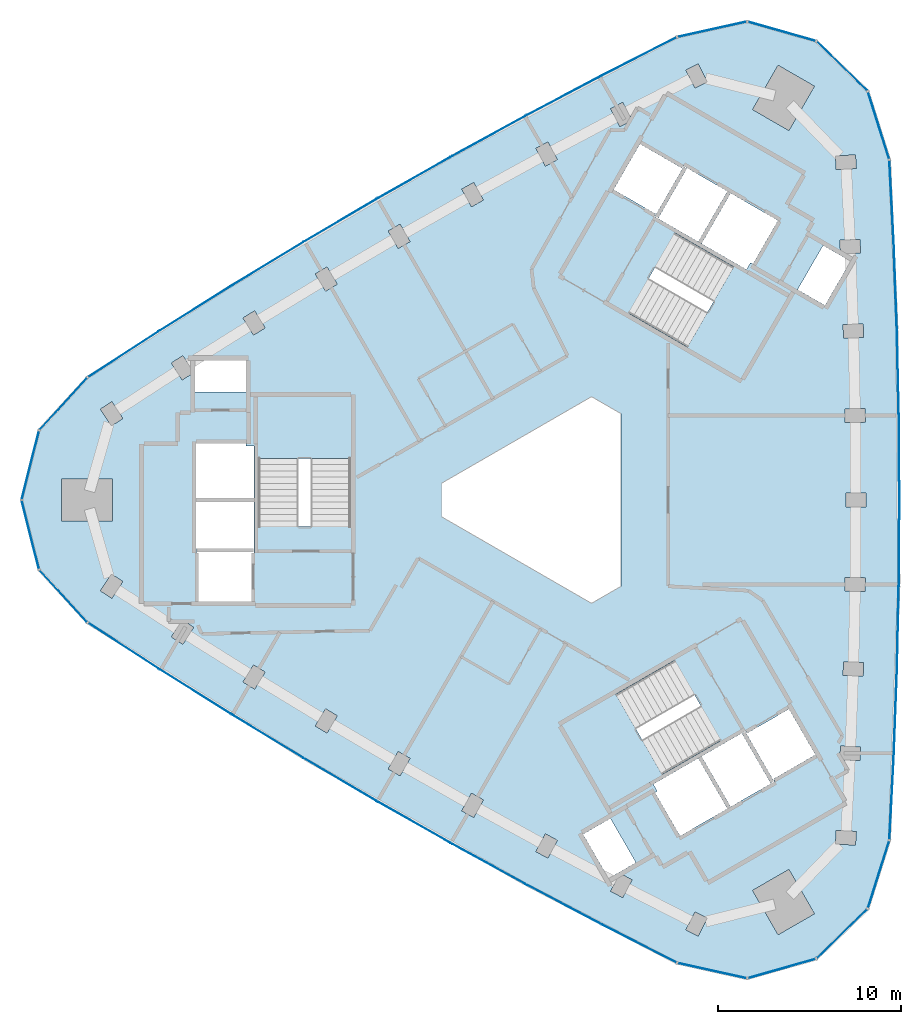
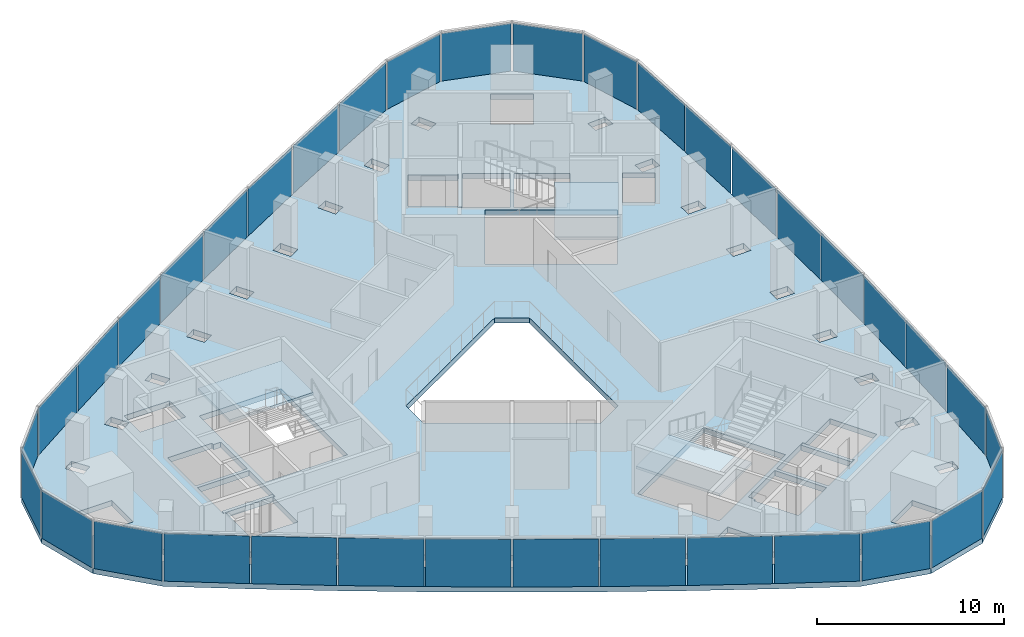
# One storey, part 6 of 11: 36 plates, 4 slabs, 6 elements without a shape of their own.
"""IFC4 building model written with IfcOpenShell, lengths in metres."""

from ifc_helpers import new_model, si_unit, direction, frame, origin, origin_2d, place, context, subcontext, project, spatial, polyline, rectangle, outline, extrude, material, layer, layer_set, type_object, element, aggregate, save


model = new_model("IFC4")

# Units and contexts
model_context = context("Model", 3, precision=1e-05, world=origin(), true_north=direction((0.0, 1.0)))
body_context = subcontext(model_context, "Body", "Model", "MODEL_VIEW")
ifc_project = project(units=[si_unit("LENGTHUNIT", "METRE"), si_unit("AREAUNIT", "SQUARE_METRE"), si_unit("VOLUMEUNIT", "CUBIC_METRE"), si_unit("PLANEANGLEUNIT", "RADIAN"), si_unit("MASSUNIT", "GRAM", prefix="KILO")], contexts=[model_context])

# Site, building, storey
site_placement = place(None, origin())
site = spatial("IfcSite", under=ifc_project, at=site_placement, CompositionType="ELEMENT")
building_placement = place(site_placement, origin())
building = spatial("IfcBuilding", under=site, at=building_placement, Name="Tamra Quay Hotel Tower", CompositionType="ELEMENT")
storey_placement = place(building_placement, frame((0.0, 0.0, 246.60009765625)))
storey = spatial("IfcBuildingStorey", under=building, at=storey_placement, Name="L62", CompositionType="ELEMENT", Elevation=246.60009765625)

# Stair, slab
ifc_material_1 = material(Name="Exit stair 2200 24 risers 150.0 going 342")
stair_type = type_object("IfcStairType", Name="Exit stair 2200 24 risers 150.0 going 342", PredefinedType="HALF_TURN_STAIR", material=ifc_material_1)
stair_1_placement = place(storey_placement, origin())
stair_1 = element("IfcStair", 1, at=stair_1_placement, inside=storey, type_object=stair_type, Name="L62 Exit stair ST3", PredefinedType="HALF_TURN_STAIR")
ifc_material_2 = material(Name="Concrete M70", Category="concrete")
ifc_layer_1 = layer(ifc_material_2, 0.175048828125)
ifc_layer_set_1 = layer_set([ifc_layer_1], Name="Concrete M70 stair landing 180")
slab_type_1 = type_object("IfcSlabType", Name="Concrete M70 stair landing 180", PredefinedType="LANDING", material=ifc_layer_set_1)
slab_1_placement = place(storey_placement, frame((0.0, 0.0, 1.625)))
slab_1 = element("IfcSlab", 2, at=slab_1_placement, type_object=slab_type_1, Name="ST3 landing 1", PredefinedType="LANDING", context=body_context, shape_type="SweptSolid", body=[
    extrude(outline(polyline([(-10.932373046875, 2.261962890625), (-10.932373046875, 5.679931640625), (-16.09130859375, 5.679931640625), (-16.09130859375, 2.261962890625), (-10.932373046875, 2.261962890625)])), origin(), (0.0, 0.0, 1.0), 0.1748046875),
])
aggregate(stair_1, [slab_1])

stair_2_placement = place(storey_placement, origin())
stair_2 = element("IfcStair", 3, at=stair_2_placement, inside=storey, type_object=stair_type, Name="L62 Exit stair ST1", PredefinedType="HALF_TURN_STAIR")
slab_2_placement = place(storey_placement, frame((0.0, 0.0, 1.625)))
slab_2 = element("IfcSlab", 4, at=slab_2_placement, type_object=slab_type_1, Name="ST1 landing 1", PredefinedType="LANDING", context=body_context, shape_type="SweptSolid", body=[
    extrude(outline(polyline([(7.425048828125, 8.336669921875), (10.385009765625, 6.627685546875), (12.964599609375, 11.095458984375), (10.00439453125, 12.804443359375), (7.425048828125, 8.336669921875)])), origin(), (0.0, 0.0, 1.0), 0.1748046875),
])
aggregate(stair_2, [slab_2])

stair_3_placement = place(storey_placement, origin())
stair_3 = element("IfcStair", 5, at=stair_3_placement, inside=storey, type_object=stair_type, Name="L62 Exit stair ST2", PredefinedType="HALF_TURN_STAIR")
slab_3_placement = place(storey_placement, frame((0.0, 0.0, 1.625)))
slab_3 = element("IfcSlab", 6, at=slab_3_placement, type_object=slab_type_1, Name="ST2 landing 1", PredefinedType="LANDING", context=body_context, shape_type="SweptSolid", body=[
    extrude(outline(polyline([(3.50732421875, -10.5986328125), (0.547119140625, -12.3076171875), (3.126708984375, -16.775390625), (6.086669921875, -15.06640625), (3.50732421875, -10.5986328125)])), origin(), (0.0, 0.0, 1.0), 0.1748046875),
])
aggregate(stair_3, [slab_3])

# Slab
ifc_material_3 = material(Name="Concrete M60", Category="concrete")
ifc_layer_2 = layer(ifc_material_3, 0.35009765625)
ifc_layer_set_2 = layer_set([ifc_layer_2], Name="FLOOR SLAB PT 350")
slab_type_2 = type_object("IfcSlabType", Name="FLOOR SLAB PT 350", PredefinedType="FLOOR", material=ifc_layer_set_2)
slab_4_placement = place(storey_placement, frame((0.0, 0.0, -0.35009765625)))
element("IfcSlab", 7, at=slab_4_placement, inside=storey, type_object=slab_type_2, Name="SLAB-L62", PredefinedType="FLOOR", context=body_context, shape_type="SweptSolid", body=[
    extrude(outline(polyline([(18.746826171875, 13.9765625), (18.918212890625, 9.31884765625), (19.020751953125, 4.66064453125), (19.05517578125, 0.0), (19.020751953125, -4.66064453125), (18.918212890625, -9.31884765625), (18.746826171875, -13.9765625), (18.50732421875, -18.63037109375), (17.323974609375, -22.38037109375), (14.503173828125, -25.1201171875), (10.719970703125, -26.193115234375), (6.880615234375, -25.343017578125), (2.730712890625, -23.223388671875), (-1.388671875, -21.04296875), (-5.47412109375, -18.802978515625), (-9.527587890625, -16.502197265625), (-13.546630859375, -14.14208984375), (-17.529296875, -11.72412109375), (-21.477294921875, -9.2470703125), (-25.387939453125, -6.712646484375), (-28.0439453125, -3.812744140625), (-29.006103515625, 0.0), (-28.0439453125, 3.812744140625), (-25.387939453125, 6.712646484375), (-21.477294921875, 9.2470703125), (-17.529296875, 11.72412109375), (-13.546630859375, 14.14208984375), (-9.527587890625, 16.502197265625), (-5.47412109375, 18.802978515625), (-1.388671875, 21.04296875), (2.730712890625, 23.223388671875), (6.880615234375, 25.343017578125), (10.719970703125, 26.193115234375), (14.503173828125, 25.1201171875), (17.323974609375, 22.38037109375), (18.50732421875, 18.63037109375), (18.746826171875, 13.9765625)]), holes=[polyline([(-8.9345703125, -14.724853515625), (-8.284912109375, -15.099853515625), (-7.73486328125, -14.147216796875), (-8.384521484375, -13.772216796875), (-8.9345703125, -14.724853515625)]), polyline([(-12.927001953125, -12.373779296875), (-12.283203125, -12.758544921875), (-11.718994140625, -11.814208984375), (-12.36279296875, -11.4296875), (-12.927001953125, -12.373779296875)]), polyline([(-16.885009765625, -9.964599609375), (-16.24658203125, -10.3583984375), (-15.669189453125, -9.422119140625), (-16.3076171875, -9.0283203125), (-16.885009765625, -9.964599609375)]), polyline([(-20.21533203125, -6.56982421875), (-20.806640625, -7.497314453125), (-20.17431640625, -7.900634765625), (-19.5830078125, -6.972900390625), (-20.21533203125, -6.56982421875)]), polyline([(-24.08740234375, -4.05419921875), (-24.69189453125, -4.972900390625), (-24.0654296875, -5.38525390625), (-23.460693359375, -4.46630859375), (-24.08740234375, -4.05419921875)]), polyline([(-19.4072265625, -2.85498046875), (-19.4072265625, -2.89306640625), (-19.307373046875, -2.89306640625), (-19.307373046875, -5.544921875), (-16.417236328125, -5.544921875), (-16.417236328125, -2.89306640625), (-16.3173828125, -2.89306640625), (-16.3173828125, -2.85498046875), (-19.4072265625, -2.85498046875)]), polyline([(-19.417236328125, -2.89306640625), (-19.417236328125, -2.64501953125), (-16.307373046875, -2.64501953125), (-16.307373046875, -2.89306640625), (-16.26708984375, -2.89306640625), (-16.26708984375, -0.10498046875), (-19.45751953125, -0.10498046875), (-19.45751953125, -2.89306640625), (-19.417236328125, -2.89306640625)]), polyline([(-24.0205078125, 1.14990234375), (-26.8203125, 1.14990234375), (-26.8203125, -1.14990234375), (-24.0205078125, -1.14990234375), (-24.0205078125, 1.14990234375)]), polyline([(-16.707275390625, 2.945068359375), (-16.707275390625, 3.09521484375), (-19.45751953125, 3.09521484375), (-19.45751953125, 0.10498046875), (-16.26708984375, 0.10498046875), (-16.26708984375, 2.945068359375), (-16.707275390625, 2.945068359375)]), polyline([(-16.036376953125, -1.455078125), (-10.9873046875, -1.455078125), (-10.9873046875, 5.625), (-16.036376953125, 5.625), (-16.036376953125, -1.455078125)]), polyline([(-23.460693359375, 4.46630859375), (-24.0654296875, 5.38525390625), (-24.69189453125, 4.972900390625), (-24.08740234375, 4.05419921875), (-23.460693359375, 4.46630859375)]), polyline([(-19.50732421875, 7.64501953125), (-19.50732421875, 5.9150390625), (-16.71728515625, 5.9150390625), (-16.71728515625, 7.64501953125), (-19.50732421875, 7.64501953125)]), polyline([(-19.5830078125, 6.972900390625), (-20.17431640625, 7.900634765625), (-20.806640625, 7.497314453125), (-20.21533203125, 6.56982421875), (-19.5830078125, 6.972900390625)]), polyline([(-15.669189453125, 9.422119140625), (-16.24658203125, 10.3583984375), (-16.885009765625, 9.964599609375), (-16.3076171875, 9.0283203125), (-15.669189453125, 9.422119140625)]), polyline([(-12.283203125, 12.758544921875), (-12.927001953125, 12.373779296875), (-12.36279296875, 11.4296875), (-11.718994140625, 11.814208984375), (-12.283203125, 12.758544921875)]), polyline([(-7.73486328125, 14.147216796875), (-8.284912109375, 15.099853515625), (-8.9345703125, 14.724853515625), (-8.384521484375, 13.772216796875), (-7.73486328125, 14.147216796875)]), polyline([(7.8623046875, -22.55078125), (7.368896484375, -23.533935546875), (8.039306640625, -23.870361328125), (8.53271484375, -22.88720703125), (7.8623046875, -22.55078125)]), polyline([(3.2451171875, -21.421875), (3.910400390625, -21.767822265625), (4.41796875, -20.7919921875), (3.752685546875, -20.44580078125), (3.2451171875, -21.421875)]), polyline([(1.73779296875, -18.300048828125), (3.1328125, -20.71630859375), (4.631103515625, -19.851318359375), (3.236083984375, -17.43505859375), (1.73779296875, -18.300048828125)]), polyline([(-0.3251953125, -18.281005859375), (-0.847412109375, -19.2490234375), (-0.187255859375, -19.60498046875), (0.334716796875, -18.636962890625), (-0.3251953125, -18.281005859375)]), polyline([(-4.90771484375, -17.016845703125), (-4.252685546875, -17.382080078125), (-3.716796875, -16.42138671875), (-4.3720703125, -16.05615234375), (-4.90771484375, -17.016845703125)]), polyline([(5.5830078125, -15.560302734375), (5.80322265625, -15.94140625), (5.673095703125, -16.0166015625), (7.04833984375, -18.398193359375), (9.6376953125, -16.903076171875), (8.042724609375, -14.14013671875), (5.5830078125, -15.560302734375)]), polyline([(12.214111328125, -15.369384765625), (11.999267578125, -15.493408203125), (10.4443359375, -12.800048828125), (10.6591796875, -12.676025390625), (10.63916015625, -12.64111328125), (8.224609375, -14.03515625), (9.819580078125, -16.798095703125), (12.234130859375, -15.404052734375), (12.214111328125, -15.369384765625)]), polyline([(6.75390625, -8.78759765625), (0.622314453125, -12.32763671875), (3.146728515625, -16.7001953125), (9.2783203125, -13.160400390625), (6.75390625, -8.78759765625)]), polyline([(-6.0, 0.923828125), (-6.0, -0.923828125), (2.199951171875, -5.657958984375), (3.800048828125, -4.734375), (3.800048828125, 4.734375), (2.199951171875, 5.657958984375), (-6.0, 0.923828125)]), polyline([(4.2333984375, 10.242919921875), (10.364990234375, 6.702880859375), (12.889404296875, 11.075439453125), (6.758056640625, 14.615478515625), (4.2333984375, 10.242919921875)]), polyline([(7.203125, 18.262451171875), (7.41796875, 18.138427734375), (5.863037109375, 15.445068359375), (5.648193359375, 15.569091796875), (5.628173828125, 15.5341796875), (8.04248046875, 14.140380859375), (9.6376953125, 16.903076171875), (7.22314453125, 18.297119140625), (7.203125, 18.262451171875)]), polyline([(-3.716796875, 16.42138671875), (-4.252685546875, 17.382080078125), (-4.90771484375, 17.016845703125), (-4.3720703125, 16.05615234375), (-3.716796875, 16.42138671875)]), polyline([(7.231201171875, 18.234619140625), (7.1982421875, 18.253662109375), (7.148193359375, 18.1669921875), (4.8515625, 19.4931640625), (3.406494140625, 16.990234375), (5.703125, 15.664306640625), (5.6533203125, 15.57763671875), (5.68603515625, 15.55859375), (7.231201171875, 18.234619140625)]), polyline([(0.334716796875, 18.636962890625), (-0.187255859375, 19.60498046875), (-0.847412109375, 19.2490234375), (-0.3251953125, 18.281005859375), (0.334716796875, 18.636962890625)]), polyline([(4.41796875, 20.7919921875), (3.910400390625, 21.767822265625), (3.2451171875, 21.421875), (3.752685546875, 20.44580078125), (4.41796875, 20.7919921875)]), polyline([(8.039306640625, 23.870361328125), (7.368896484375, 23.533935546875), (7.8623046875, 22.55078125), (8.53271484375, 22.88720703125), (8.039306640625, 23.870361328125)]), polyline([(11.014404296875, -21.377197265625), (12.414306640625, -23.802001953125), (14.406005859375, -22.652099609375), (13.006103515625, -20.227294921875), (11.014404296875, -21.377197265625)]), polyline([(15.554443359375, -18.8330078125), (16.652587890625, -18.8974609375), (16.696533203125, -18.148681640625), (15.598388671875, -18.08447265625), (15.554443359375, -18.8330078125)]), polyline([(16.896240234375, -14.2705078125), (16.92919921875, -13.52099609375), (15.830322265625, -13.472900390625), (15.79736328125, -14.22216796875), (16.896240234375, -14.2705078125)]), polyline([(10.631103515625, -12.70361328125), (12.176025390625, -15.379638671875), (12.208984375, -15.360595703125), (12.1591796875, -15.274169921875), (14.455810546875, -13.947998046875), (13.0107421875, -11.4453125), (10.714111328125, -12.771240234375), (10.6640625, -12.6845703125), (10.631103515625, -12.70361328125)]), polyline([(15.97265625, -9.6083984375), (17.072265625, -9.640380859375), (17.093994140625, -8.890625), (15.994384765625, -8.85888671875), (15.97265625, -9.6083984375)]), polyline([(17.1796875, -5.00830078125), (17.19091796875, -4.25830078125), (16.091064453125, -4.24169921875), (16.079833984375, -4.99169921875), (17.1796875, -5.00830078125)]), polyline([(16.119384765625, -0.375), (17.219482421875, -0.375), (17.219482421875, 0.375), (16.119384765625, 0.375), (16.119384765625, -0.375)]), polyline([(16.091064453125, 4.24169921875), (17.19091796875, 4.25830078125), (17.1796875, 5.00830078125), (16.079833984375, 4.99169921875), (16.091064453125, 4.24169921875)]), polyline([(17.093994140625, 8.890625), (17.072265625, 9.640380859375), (15.97265625, 9.6083984375), (15.994384765625, 8.85888671875), (17.093994140625, 8.890625)]), polyline([(14.9794921875, 10.655029296875), (16.37451171875, 13.0712890625), (14.876220703125, 13.936279296875), (13.481201171875, 11.52001953125), (14.9794921875, 10.655029296875)]), polyline([(15.830322265625, 13.472900390625), (16.92919921875, 13.52099609375), (16.896240234375, 14.2705078125), (15.79736328125, 14.22216796875), (15.830322265625, 13.472900390625)]), polyline([(10.904052734375, 12.996337890625), (11.0341796875, 12.92138671875), (12.4091796875, 15.302978515625), (9.819580078125, 16.798095703125), (8.224365234375, 14.035400390625), (10.68408203125, 12.615234375), (10.904052734375, 12.996337890625)]), polyline([(15.598388671875, 18.08447265625), (16.696533203125, 18.148681640625), (16.652587890625, 18.8974609375), (15.554443359375, 18.8330078125), (15.598388671875, 18.08447265625)]), polyline([(13.006103515625, 20.227294921875), (14.406005859375, 22.652099609375), (12.414306640625, 23.802001953125), (11.014404296875, 21.377197265625), (13.006103515625, 20.227294921875)])]), origin(), (0.0, 0.0, 1.0), 0.35009765625),
])

# Curtain wall, plates
ifc_material_4 = material(Name="Aluminium 6063 anodised dark grey", Category="aluminium")
curtain_wall_type_1 = type_object("IfcCurtainWallType", Name="CW1 CURTAIN WALL", PredefinedType="NOTDEFINED", material=ifc_material_4)
curtain_wall_1_placement = place(storey_placement, origin())
curtain_wall_1 = element("IfcCurtainWall", 8, at=curtain_wall_1_placement, inside=storey, type_object=curtain_wall_type_1, Name="CW1 east face L62", PredefinedType="NOTDEFINED")
ifc_material_5 = material(Name="Glass clear laminated low-iron", Category="glass")
ifc_layer_3 = layer(ifc_material_5, 0.028076171875)
ifc_layer_set_3 = layer_set([ifc_layer_3], Name="GLASS PANEL CW1 Z5")
plate_type_1 = type_object("IfcPlateType", Name="GLASS PANEL CW1 Z5", PredefinedType="CURTAIN_PANEL", material=ifc_layer_set_3)
plate_1_placement = place(storey_placement, frame((18.626953125, -16.303466796875, 0.0), z_axis=(0.0, 0.0, 1.0), x_axis=(0.05140283052, 0.998678000666, 0.0)))
plate_1 = element("IfcPlate", 9, at=plate_1_placement, type_object=plate_type_1, Name="CW1 glass L62.E.1", PredefinedType="CURTAIN_PANEL", context=body_context, shape_type="SweptSolid", body=[
    extrude(rectangle(XDim=4.56005859375, YDim=0.028076171875, at=origin_2d()), origin(), (0.0, 0.0, 1.0), 3.110107421875),
])
plate_2_placement = place(storey_placement, frame((18.83251953125, -11.647705078125, 0.0), z_axis=(0.0, 0.0, 1.0), x_axis=(0.036744002612, 0.999324711128, 0.0)))
plate_2 = element("IfcPlate", 10, at=plate_2_placement, type_object=plate_type_1, Name="CW1 glass L62.E.2", PredefinedType="CURTAIN_PANEL", context=body_context, shape_type="SweptSolid", body=[
    extrude(rectangle(XDim=4.560791015625, YDim=0.028076171875, at=origin_2d()), origin(), (0.0, 0.0, 1.0), 3.110107421875),
])
plate_3_placement = place(storey_placement, frame((18.969482421875, -6.98974609375, 0.0), z_axis=(0.0, 0.0, 1.0), x_axis=(0.022062714066, 0.999756588699, 0.0)))
plate_3 = element("IfcPlate", 11, at=plate_3_placement, type_object=plate_type_1, Name="CW1 glass L62.E.3", PredefinedType="CURTAIN_PANEL", context=body_context, shape_type="SweptSolid", body=[
    extrude(rectangle(XDim=4.559326171875, YDim=0.028076171875, at=origin_2d()), origin(), (0.0, 0.0, 1.0), 3.110107421875),
])
plate_4_placement = place(storey_placement, frame((19.0380859375, -2.330322265625, 0.0), z_axis=(0.0, 0.0, 1.0), x_axis=(0.007362119462, 0.999972899231, 0.0)))
plate_4 = element("IfcPlate", 12, at=plate_4_placement, type_object=plate_type_1, Name="CW1 glass L62.E.4", PredefinedType="CURTAIN_PANEL", context=body_context, shape_type="SweptSolid", body=[
    extrude(rectangle(XDim=4.560791015625, YDim=0.028076171875, at=origin_2d()), origin(), (0.0, 0.0, 1.0), 3.110107421875),
])
plate_5_placement = place(storey_placement, frame((19.0380859375, 2.330322265625, 0.0), z_axis=(0.0, 0.0, 1.0), x_axis=(-0.007362119462, 0.999972899231, 0.0)))
plate_5 = element("IfcPlate", 13, at=plate_5_placement, type_object=plate_type_1, Name="CW1 glass L62.E.5", PredefinedType="CURTAIN_PANEL", context=body_context, shape_type="SweptSolid", body=[
    extrude(rectangle(XDim=4.560791015625, YDim=0.028076171875, at=origin_2d()), origin(), (0.0, 0.0, 1.0), 3.110107421875),
])
plate_6_placement = place(storey_placement, frame((18.969482421875, 6.98974609375, 0.0), z_axis=(0.0, 0.0, 1.0), x_axis=(-0.022062714066, 0.999756588699, 0.0)))
plate_6 = element("IfcPlate", 14, at=plate_6_placement, type_object=plate_type_1, Name="CW1 glass L62.E.6", PredefinedType="CURTAIN_PANEL", context=body_context, shape_type="SweptSolid", body=[
    extrude(rectangle(XDim=4.559326171875, YDim=0.028076171875, at=origin_2d()), origin(), (0.0, 0.0, 1.0), 3.110107421875),
])
plate_7_placement = place(storey_placement, frame((18.83251953125, 11.647705078125, 0.0), z_axis=(0.0, 0.0, 1.0), x_axis=(-0.036744002612, 0.999324711128, 0.0)))
plate_7 = element("IfcPlate", 15, at=plate_7_placement, type_object=plate_type_1, Name="CW1 glass L62.E.7", PredefinedType="CURTAIN_PANEL", context=body_context, shape_type="SweptSolid", body=[
    extrude(rectangle(XDim=4.560791015625, YDim=0.028076171875, at=origin_2d()), origin(), (0.0, 0.0, 1.0), 3.110107421875),
])
plate_8_placement = place(storey_placement, frame((18.626953125, 16.303466796875, 0.0), z_axis=(0.0, 0.0, 1.0), x_axis=(-0.05140283052, 0.998678000666, 0.0)))
plate_8 = element("IfcPlate", 16, at=plate_8_placement, type_object=plate_type_1, Name="CW1 glass L62.E.8", PredefinedType="CURTAIN_PANEL", context=body_context, shape_type="SweptSolid", body=[
    extrude(rectangle(XDim=4.56005859375, YDim=0.028076171875, at=origin_2d()), origin(), (0.0, 0.0, 1.0), 3.110107421875),
])
plate_9_placement = place(storey_placement, frame((17.91552734375, 20.50537109375, 0.0), z_axis=(0.0, 0.0, 1.0), x_axis=(-0.30090299279, 0.95365475353, 0.0)))
plate_9 = element("IfcPlate", 17, at=plate_9_placement, type_object=plate_type_1, Name="CW1 glass L62.E.9", PredefinedType="CURTAIN_PANEL", context=body_context, shape_type="SweptSolid", body=[
    extrude(rectangle(XDim=3.832275390625, YDim=0.028076171875, at=origin_2d()), origin(), (0.0, 0.0, 1.0), 3.110107421875),
])
plate_10_placement = place(storey_placement, frame((15.91357421875, 23.750244140625, 0.0), z_axis=(0.0, 0.0, 1.0), x_axis=(-0.717364100925, 0.696698461821, 0.0)))
plate_10 = element("IfcPlate", 18, at=plate_10_placement, type_object=plate_type_1, Name="CW1 glass L62.E.10", PredefinedType="CURTAIN_PANEL", context=body_context, shape_type="SweptSolid", body=[
    extrude(rectangle(XDim=3.832275390625, YDim=0.028076171875, at=origin_2d()), origin(), (0.0, 0.0, 1.0), 3.110107421875),
])
plate_11_placement = place(storey_placement, frame((12.611572265625, 25.65673828125, 0.0), z_axis=(0.0, 0.0, 1.0), x_axis=(-0.962040617177, 0.272906304254, 0.0)))
plate_11 = element("IfcPlate", 19, at=plate_11_placement, type_object=plate_type_1, Name="CW1 glass L62.E.11", PredefinedType="CURTAIN_PANEL", context=body_context, shape_type="SweptSolid", body=[
    extrude(rectangle(XDim=3.832275390625, YDim=0.028076171875, at=origin_2d()), origin(), (0.0, 0.0, 1.0), 3.110107421875),
])
plate_12_placement = place(storey_placement, frame((8.80029296875, 25.76806640625, 0.0), z_axis=(0.0, 0.0, 1.0), x_axis=(-0.976340739392, -0.216237740934, 0.0)))
plate_12 = element("IfcPlate", 20, at=plate_12_placement, type_object=plate_type_1, Name="CW1 glass L62.E.12", PredefinedType="CURTAIN_PANEL", context=body_context, shape_type="SweptSolid", body=[
    extrude(rectangle(XDim=3.832275390625, YDim=0.028076171875, at=origin_2d()), origin(), (0.0, 0.0, 1.0), 3.110107421875),
])
aggregate(curtain_wall_1, [plate_1, plate_2, plate_3, plate_4, plate_5, plate_6, plate_7, plate_8, plate_9, plate_10, plate_11, plate_12])

curtain_wall_type_2 = type_object("IfcCurtainWallType", Name="CW2 CURTAIN WALL", PredefinedType="NOTDEFINED", material=ifc_material_4)
curtain_wall_2_placement = place(storey_placement, origin())
curtain_wall_2 = element("IfcCurtainWall", 21, at=curtain_wall_2_placement, inside=storey, type_object=curtain_wall_type_2, Name="CW2 north-west face L62", PredefinedType="NOTDEFINED")
ifc_layer_4 = layer(ifc_material_5, 0.028076171875)
ifc_layer_set_4 = layer_set([ifc_layer_4], Name="GLASS PANEL CW2 Z5")
plate_type_2 = type_object("IfcPlateType", Name="GLASS PANEL CW2 Z5", PredefinedType="CURTAIN_PANEL", material=ifc_layer_set_4)
plate_13_placement = place(storey_placement, frame((4.8056640625, 24.283203125, 0.0), z_axis=(0.0, 0.0, 1.0), x_axis=(-0.890581934038, -0.454822843276, 0.0)))
plate_13 = element("IfcPlate", 22, at=plate_13_placement, type_object=plate_type_2, Name="CW2 glass L62.NW.1", PredefinedType="CURTAIN_PANEL", context=body_context, shape_type="SweptSolid", body=[
    extrude(rectangle(XDim=4.56005859375, YDim=0.028076171875, at=origin_2d()), origin(), (0.0, 0.0, 1.0), 3.110107421875),
])
plate_14_placement = place(storey_placement, frame((0.6708984375, 22.13330078125, 0.0), z_axis=(0.0, 0.0, 1.0), x_axis=(-0.883812587773, -0.467841115866, 0.0)))
plate_14 = element("IfcPlate", 23, at=plate_14_placement, type_object=plate_type_2, Name="CW2 glass L62.NW.2", PredefinedType="CURTAIN_PANEL", context=body_context, shape_type="SweptSolid", body=[
    extrude(rectangle(XDim=4.560791015625, YDim=0.028076171875, at=origin_2d()), origin(), (0.0, 0.0, 1.0), 3.110107421875),
])
plate_15_placement = place(storey_placement, frame((-3.431396484375, 19.9228515625, 0.0), z_axis=(0.0, 0.0, 1.0), x_axis=(-0.876845960448, -0.480771423492, 0.0)))
plate_15 = element("IfcPlate", 24, at=plate_15_placement, type_object=plate_type_2, Name="CW2 glass L62.NW.3", PredefinedType="CURTAIN_PANEL", context=body_context, shape_type="SweptSolid", body=[
    extrude(rectangle(XDim=4.559326171875, YDim=0.028076171875, at=origin_2d()), origin(), (0.0, 0.0, 1.0), 3.110107421875),
])
plate_16_placement = place(storey_placement, frame((-7.500732421875, 17.652587890625, 0.0), z_axis=(0.0, 0.0, 1.0), x_axis=(-0.869682993561, -0.493610667136, 0.0)))
plate_16 = element("IfcPlate", 25, at=plate_16_placement, type_object=plate_type_2, Name="CW2 glass L62.NW.4", PredefinedType="CURTAIN_PANEL", context=body_context, shape_type="SweptSolid", body=[
    extrude(rectangle(XDim=4.560791015625, YDim=0.028076171875, at=origin_2d()), origin(), (0.0, 0.0, 1.0), 3.110107421875),
])
plate_17_placement = place(storey_placement, frame((-11.537109375, 15.322265625, 0.0), z_axis=(0.0, 0.0, 1.0), x_axis=(-0.862320874099, -0.506362232095, 0.0)))
plate_17 = element("IfcPlate", 26, at=plate_17_placement, type_object=plate_type_2, Name="CW2 glass L62.NW.5", PredefinedType="CURTAIN_PANEL", context=body_context, shape_type="SweptSolid", body=[
    extrude(rectangle(XDim=4.560791015625, YDim=0.028076171875, at=origin_2d()), origin(), (0.0, 0.0, 1.0), 3.110107421875),
])
plate_18_placement = place(storey_placement, frame((-15.5380859375, 12.93310546875, 0.0), z_axis=(0.0, 0.0, 1.0), x_axis=(-0.854783246382, -0.518985165207, 0.0)))
plate_18 = element("IfcPlate", 27, at=plate_18_placement, type_object=plate_type_2, Name="CW2 glass L62.NW.6", PredefinedType="CURTAIN_PANEL", context=body_context, shape_type="SweptSolid", body=[
    extrude(rectangle(XDim=4.559326171875, YDim=0.028076171875, at=origin_2d()), origin(), (0.0, 0.0, 1.0), 3.110107421875),
])
plate_19_placement = place(storey_placement, frame((-19.50341796875, 10.485595703125, 0.0), z_axis=(0.0, 0.0, 1.0), x_axis=(-0.847068585161, -0.531483595263, 0.0)))
plate_19 = element("IfcPlate", 28, at=plate_19_placement, type_object=plate_type_2, Name="CW2 glass L62.NW.7", PredefinedType="CURTAIN_PANEL", context=body_context, shape_type="SweptSolid", body=[
    extrude(rectangle(XDim=4.560791015625, YDim=0.028076171875, at=origin_2d()), origin(), (0.0, 0.0, 1.0), 3.110107421875),
])
plate_20_placement = place(storey_placement, frame((-23.4326171875, 7.979736328125, 0.0), z_axis=(0.0, 0.0, 1.0), x_axis=(-0.839179103518, -0.54385515739, 0.0)))
plate_20 = element("IfcPlate", 29, at=plate_20_placement, type_object=plate_type_2, Name="CW2 glass L62.NW.8", PredefinedType="CURTAIN_PANEL", context=body_context, shape_type="SweptSolid", body=[
    extrude(rectangle(XDim=4.56005859375, YDim=0.028076171875, at=origin_2d()), origin(), (0.0, 0.0, 1.0), 3.110107421875),
])
plate_21_placement = place(storey_placement, frame((-26.716064453125, 5.2626953125, 0.0), z_axis=(0.0, 0.0, 1.0), x_axis=(-0.675437746601, -0.737417012596, 0.0)))
plate_21 = element("IfcPlate", 30, at=plate_21_placement, type_object=plate_type_2, Name="CW2 glass L62.NW.9", PredefinedType="CURTAIN_PANEL", context=body_context, shape_type="SweptSolid", body=[
    extrude(rectangle(XDim=3.832275390625, YDim=0.028076171875, at=origin_2d()), origin(), (0.0, 0.0, 1.0), 3.110107421875),
])
plate_22_placement = place(storey_placement, frame((-28.525146484375, 1.906494140625, 0.0), z_axis=(0.0, 0.0, 1.0), x_axis=(-0.244676516252, -0.969604766075, 0.0)))
plate_22 = element("IfcPlate", 31, at=plate_22_placement, type_object=plate_type_2, Name="CW2 glass L62.NW.10", PredefinedType="CURTAIN_PANEL", context=body_context, shape_type="SweptSolid", body=[
    extrude(rectangle(XDim=3.832275390625, YDim=0.028076171875, at=origin_2d()), origin(), (0.0, 0.0, 1.0), 3.110107421875),
])
plate_23_placement = place(storey_placement, frame((-28.525146484375, -1.906494140625, 0.0), z_axis=(0.0, 0.0, 1.0), x_axis=(0.244676516252, -0.969604766075, 0.0)))
plate_23 = element("IfcPlate", 32, at=plate_23_placement, type_object=plate_type_2, Name="CW2 glass L62.NW.11", PredefinedType="CURTAIN_PANEL", context=body_context, shape_type="SweptSolid", body=[
    extrude(rectangle(XDim=3.832275390625, YDim=0.028076171875, at=origin_2d()), origin(), (0.0, 0.0, 1.0), 3.110107421875),
])
plate_24_placement = place(storey_placement, frame((-26.716064453125, -5.2626953125, 0.0), z_axis=(0.0, 0.0, 1.0), x_axis=(0.675437746601, -0.737417012596, 0.0)))
plate_24 = element("IfcPlate", 33, at=plate_24_placement, type_object=plate_type_2, Name="CW2 glass L62.NW.12", PredefinedType="CURTAIN_PANEL", context=body_context, shape_type="SweptSolid", body=[
    extrude(rectangle(XDim=3.832275390625, YDim=0.028076171875, at=origin_2d()), origin(), (0.0, 0.0, 1.0), 3.110107421875),
])
aggregate(curtain_wall_2, [plate_13, plate_14, plate_15, plate_16, plate_17, plate_18, plate_19, plate_20, plate_21, plate_22, plate_23, plate_24])

curtain_wall_type_3 = type_object("IfcCurtainWallType", Name="CW3 CURTAIN WALL", PredefinedType="NOTDEFINED", material=ifc_material_4)
curtain_wall_3_placement = place(storey_placement, origin())
curtain_wall_3 = element("IfcCurtainWall", 34, at=curtain_wall_3_placement, inside=storey, type_object=curtain_wall_type_3, Name="CW3 south-west face L62", PredefinedType="NOTDEFINED")
ifc_layer_5 = layer(ifc_material_5, 0.028076171875)
ifc_layer_set_5 = layer_set([ifc_layer_5], Name="GLASS PANEL CW3 Z5")
plate_type_3 = type_object("IfcPlateType", Name="GLASS PANEL CW3 Z5", PredefinedType="CURTAIN_PANEL", material=ifc_layer_set_5)
plate_25_placement = place(storey_placement, frame((-23.4326171875, -7.979736328125, 0.0), z_axis=(0.0, 0.0, 1.0), x_axis=(0.839179103518, -0.54385515739, 0.0)))
plate_25 = element("IfcPlate", 35, at=plate_25_placement, type_object=plate_type_3, Name="CW3 glass L62.SW.1", PredefinedType="CURTAIN_PANEL", context=body_context, shape_type="SweptSolid", body=[
    extrude(rectangle(XDim=4.56005859375, YDim=0.028076171875, at=origin_2d()), origin(), (0.0, 0.0, 1.0), 3.110107421875),
])
plate_26_placement = place(storey_placement, frame((-19.50341796875, -10.485595703125, 0.0), z_axis=(0.0, 0.0, 1.0), x_axis=(0.847068585161, -0.531483595263, 0.0)))
plate_26 = element("IfcPlate", 36, at=plate_26_placement, type_object=plate_type_3, Name="CW3 glass L62.SW.2", PredefinedType="CURTAIN_PANEL", context=body_context, shape_type="SweptSolid", body=[
    extrude(rectangle(XDim=4.560791015625, YDim=0.028076171875, at=origin_2d()), origin(), (0.0, 0.0, 1.0), 3.110107421875),
])
plate_27_placement = place(storey_placement, frame((-15.5380859375, -12.93310546875, 0.0), z_axis=(0.0, 0.0, 1.0), x_axis=(0.854783246382, -0.518985165207, 0.0)))
plate_27 = element("IfcPlate", 37, at=plate_27_placement, type_object=plate_type_3, Name="CW3 glass L62.SW.3", PredefinedType="CURTAIN_PANEL", context=body_context, shape_type="SweptSolid", body=[
    extrude(rectangle(XDim=4.559326171875, YDim=0.028076171875, at=origin_2d()), origin(), (0.0, 0.0, 1.0), 3.110107421875),
])
plate_28_placement = place(storey_placement, frame((-11.537109375, -15.322265625, 0.0), z_axis=(0.0, 0.0, 1.0), x_axis=(0.862320874099, -0.506362232095, 0.0)))
plate_28 = element("IfcPlate", 38, at=plate_28_placement, type_object=plate_type_3, Name="CW3 glass L62.SW.4", PredefinedType="CURTAIN_PANEL", context=body_context, shape_type="SweptSolid", body=[
    extrude(rectangle(XDim=4.560791015625, YDim=0.028076171875, at=origin_2d()), origin(), (0.0, 0.0, 1.0), 3.110107421875),
])
plate_29_placement = place(storey_placement, frame((-7.500732421875, -17.652587890625, 0.0), z_axis=(0.0, 0.0, 1.0), x_axis=(0.869682993561, -0.493610667136, 0.0)))
plate_29 = element("IfcPlate", 39, at=plate_29_placement, type_object=plate_type_3, Name="CW3 glass L62.SW.5", PredefinedType="CURTAIN_PANEL", context=body_context, shape_type="SweptSolid", body=[
    extrude(rectangle(XDim=4.560791015625, YDim=0.028076171875, at=origin_2d()), origin(), (0.0, 0.0, 1.0), 3.110107421875),
])
plate_30_placement = place(storey_placement, frame((-3.431396484375, -19.9228515625, 0.0), z_axis=(0.0, 0.0, 1.0), x_axis=(0.876845960448, -0.480771423492, 0.0)))
plate_30 = element("IfcPlate", 40, at=plate_30_placement, type_object=plate_type_3, Name="CW3 glass L62.SW.6", PredefinedType="CURTAIN_PANEL", context=body_context, shape_type="SweptSolid", body=[
    extrude(rectangle(XDim=4.559326171875, YDim=0.028076171875, at=origin_2d()), origin(), (0.0, 0.0, 1.0), 3.110107421875),
])
plate_31_placement = place(storey_placement, frame((0.6708984375, -22.13330078125, 0.0), z_axis=(0.0, 0.0, 1.0), x_axis=(0.883812587773, -0.467841115866, 0.0)))
plate_31 = element("IfcPlate", 41, at=plate_31_placement, type_object=plate_type_3, Name="CW3 glass L62.SW.7", PredefinedType="CURTAIN_PANEL", context=body_context, shape_type="SweptSolid", body=[
    extrude(rectangle(XDim=4.560791015625, YDim=0.028076171875, at=origin_2d()), origin(), (0.0, 0.0, 1.0), 3.110107421875),
])
plate_32_placement = place(storey_placement, frame((4.8056640625, -24.283203125, 0.0), z_axis=(0.0, 0.0, 1.0), x_axis=(0.890581934038, -0.454822843276, 0.0)))
plate_32 = element("IfcPlate", 42, at=plate_32_placement, type_object=plate_type_3, Name="CW3 glass L62.SW.8", PredefinedType="CURTAIN_PANEL", context=body_context, shape_type="SweptSolid", body=[
    extrude(rectangle(XDim=4.56005859375, YDim=0.028076171875, at=origin_2d()), origin(), (0.0, 0.0, 1.0), 3.110107421875),
])
plate_33_placement = place(storey_placement, frame((8.80029296875, -25.76806640625, 0.0), z_axis=(0.0, 0.0, 1.0), x_axis=(0.976340739392, -0.216237740934, 0.0)))
plate_33 = element("IfcPlate", 43, at=plate_33_placement, type_object=plate_type_3, Name="CW3 glass L62.SW.9", PredefinedType="CURTAIN_PANEL", context=body_context, shape_type="SweptSolid", body=[
    extrude(rectangle(XDim=3.832275390625, YDim=0.028076171875, at=origin_2d()), origin(), (0.0, 0.0, 1.0), 3.110107421875),
])
plate_34_placement = place(storey_placement, frame((12.611572265625, -25.65673828125, 0.0), z_axis=(0.0, 0.0, 1.0), x_axis=(0.962040617177, 0.272906304254, 0.0)))
plate_34 = element("IfcPlate", 44, at=plate_34_placement, type_object=plate_type_3, Name="CW3 glass L62.SW.10", PredefinedType="CURTAIN_PANEL", context=body_context, shape_type="SweptSolid", body=[
    extrude(rectangle(XDim=3.832275390625, YDim=0.028076171875, at=origin_2d()), origin(), (0.0, 0.0, 1.0), 3.110107421875),
])
plate_35_placement = place(storey_placement, frame((15.91357421875, -23.750244140625, 0.0), z_axis=(0.0, 0.0, 1.0), x_axis=(0.717364100925, 0.696698461821, 0.0)))
plate_35 = element("IfcPlate", 45, at=plate_35_placement, type_object=plate_type_3, Name="CW3 glass L62.SW.11", PredefinedType="CURTAIN_PANEL", context=body_context, shape_type="SweptSolid", body=[
    extrude(rectangle(XDim=3.832275390625, YDim=0.028076171875, at=origin_2d()), origin(), (0.0, 0.0, 1.0), 3.110107421875),
])
plate_36_placement = place(storey_placement, frame((17.91552734375, -20.50537109375, 0.0), z_axis=(0.0, 0.0, 1.0), x_axis=(0.30090299279, 0.95365475353, 0.0)))
plate_36 = element("IfcPlate", 46, at=plate_36_placement, type_object=plate_type_3, Name="CW3 glass L62.SW.12", PredefinedType="CURTAIN_PANEL", context=body_context, shape_type="SweptSolid", body=[
    extrude(rectangle(XDim=3.832275390625, YDim=0.028076171875, at=origin_2d()), origin(), (0.0, 0.0, 1.0), 3.110107421875),
])
aggregate(curtain_wall_3, [plate_25, plate_26, plate_27, plate_28, plate_29, plate_30, plate_31, plate_32, plate_33, plate_34, plate_35, plate_36])

save(model, "model.ifc")
